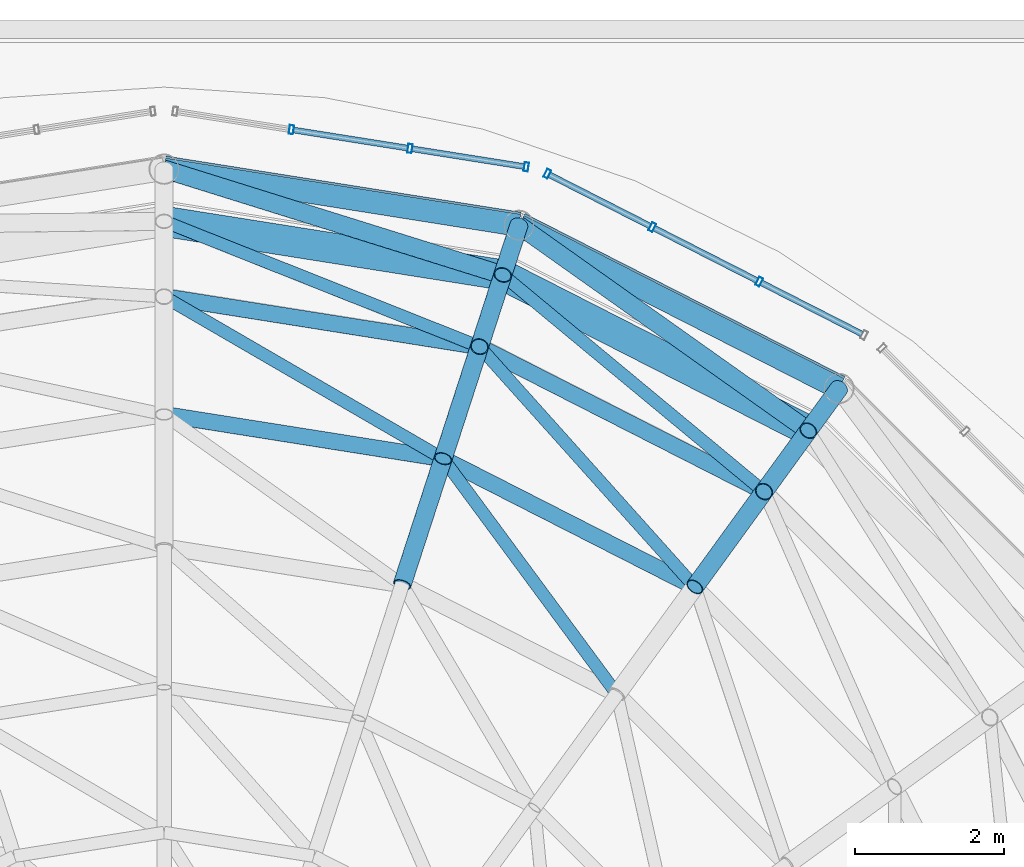
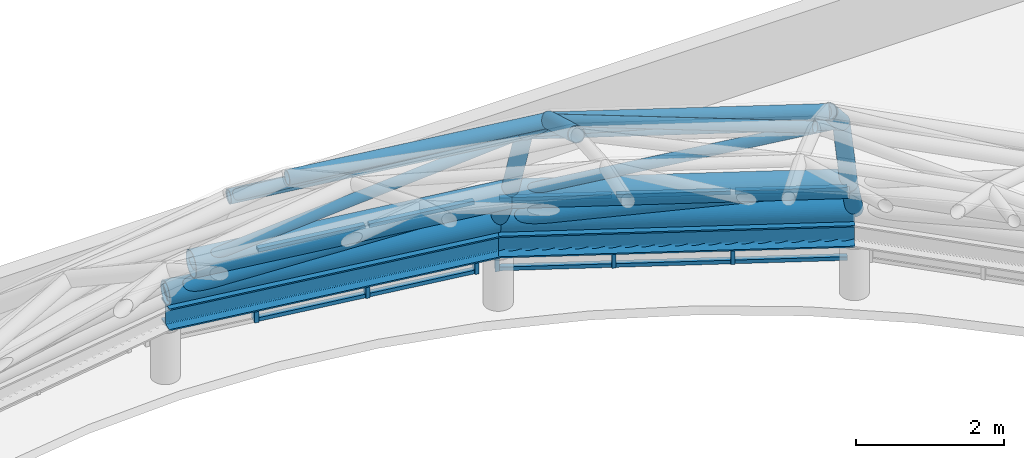
# One storey, part 37 of 69: 38 members, 2 beams, 2 elements without a shape of their own.
"""IFC4 building model written with IfcOpenShell, lengths in metres."""

from ifc_helpers import new_model, si_unit, direction, frame, origin, origin_2d, place, context, subcontext, project, spatial, hollow_rectangle, hollow_circle, i_section, extrude, material, layer, layer_set, material_profile, profile_set, type_object, element, aggregate, save


model = new_model("IFC4")

# Units and contexts
model_context = context("Model", 3, precision=1e-05, world=origin(), true_north=direction((0.0, 1.0)))
body_context = subcontext(model_context, "Body", "Model", "MODEL_VIEW")
ifc_project = project(units=[si_unit("LENGTHUNIT", "METRE"), si_unit("AREAUNIT", "SQUARE_METRE"), si_unit("VOLUMEUNIT", "CUBIC_METRE"), si_unit("PLANEANGLEUNIT", "RADIAN"), si_unit("MASSUNIT", "GRAM", prefix="KILO")], contexts=[model_context])

# Site, building, storey
site_placement = place(None, origin())
site = spatial("IfcSite", under=ifc_project, at=site_placement, CompositionType="ELEMENT")
building_placement = place(site_placement, origin())
building = spatial("IfcBuilding", under=site, at=building_placement, Name="Kallimachos Central Library", CompositionType="ELEMENT")
storey_placement = place(building_placement, frame((0.0, 0.0, 23.39990234375)))
storey = spatial("IfcBuildingStorey", under=building, at=storey_placement, Name="L05", CompositionType="ELEMENT", Elevation=23.39990234375)

# Members
ifc_material_1 = material(Name="Steel S355J2H", Category="steel")
ifc_material_profile_1 = material_profile(ifc_material_1, hollow_circle(Radius=0.084228515625, WallThickness=0.008056640625, at=origin_2d()), Name="CHS 168.3x8")
ifc_profile_set_1 = profile_set([ifc_material_profile_1], Name="Steel S355J2H")
member_type_1 = type_object("IfcMemberType", Name="CHS 168.3x8 dome diagonal", PredefinedType="BRACE", material=ifc_profile_set_1)
member_1_placement = place(storey_placement, frame((94.0732421875, 112.75927734375, 6.24853515625), z_axis=(-0.576308308744, 0.780481626209, -0.242316248781), x_axis=(-0.804456590267, -0.594011442968, 0.0)))
element("IfcMember", 1, at=member_1_placement, inside=storey, type_object=member_type_1, Name="Dome diagonal DD-4-03", PredefinedType="BRACE", context=body_context, shape_type="SweptSolid", body=[
    extrude(hollow_circle(Radius=0.084228515625, WallThickness=0.008056640625, at=origin_2d()), origin(), (0.0, 0.0, 1.0), 4.045166015625),
])
member_2_placement = place(storey_placement, frame((95.11767578125, 114.196533203125, 5.268310546875), z_axis=(-0.640319698007, 0.714654605031, -0.281530601982), x_axis=(-0.744779250072, -0.66731092353, 0.0)))
element("IfcMember", 2, at=member_2_placement, inside=storey, type_object=member_type_1, Name="Dome diagonal DD-5-03", PredefinedType="BRACE", context=body_context, shape_type="SweptSolid", body=[
    extrude(hollow_circle(Radius=0.084228515625, WallThickness=0.008056640625, at=origin_2d()), origin(), (0.0, 0.0, 1.0), 4.50927734375),
])
member_3_placement = place(storey_placement, frame((91.741943359375, 115.91650390625, 5.268310546875), z_axis=(-0.829800504036, 0.481844097731, -0.281526888562), x_axis=(-0.502154573364, -0.864777881568, 0.0)))
element("IfcMember", 3, at=member_3_placement, inside=storey, type_object=member_type_1, Name="Dome diagonal DD-5-04", PredefinedType="BRACE", context=body_context, shape_type="SweptSolid", body=[
    extrude(hollow_circle(Radius=0.084228515625, WallThickness=0.008056640625, at=origin_2d()), origin(), (0.0, 0.0, 1.0), 4.509521484375),
])
for number, where, z_axis, x_axis, name in (
    (4, (96.04638671875, 115.474853515625, 3.998779296875), (-0.720010753711, 0.597099218971, -0.353634044238), (-0.638346721018, -0.769748961523, 0.0), "Dome diagonal DD-6-03"),
    (5, (92.230224609375, 117.419189453125, 3.998779296875), (-0.869270706881, 0.345410562525, -0.353638207007), (-0.369272080701, -0.929321327859, 0.0), "Dome diagonal DD-6-04"),
):
    element("IfcMember", number, at=place(storey_placement, frame(where, z_axis=z_axis, x_axis=x_axis)), inside=storey, type_object=member_type_1, Name=name, PredefinedType="BRACE", context=body_context, shape_type="SweptSolid", body=[
        extrude(hollow_circle(Radius=0.084228515625, WallThickness=0.008056640625, at=origin_2d()), origin(), (0.0, 0.0, 1.0), 4.866455078125),
    ])
ifc_material_2 = material(Name="Steel S355J2H", Category="steel")
ifc_material_profile_2 = material_profile(ifc_material_2, hollow_circle(Radius=0.109619140625, WallThickness=0.012451171875, at=origin_2d()), Name="CHS 219.1x12.5")
ifc_profile_set_2 = profile_set([ifc_material_profile_2], Name="Steel S355J2H")
member_type_2 = type_object("IfcMemberType", Name="CHS 219.1x12.5 dome ring", PredefinedType="PURLIN", material=ifc_profile_set_2)
for number, where, z_axis, x_axis, name in (
    (6, (95.11767578125, 114.196533203125, 5.268310546875), (-0.891011956133, 0.45397983879, 0.0), (-0.45397983879, -0.891011956133, 0.0), "Dome ring DN-5-03"),
    (7, (91.741943359375, 115.91650390625, 5.268310546875), (-0.987683942521, 0.156462230863, 0.0), (-0.156462230863, -0.987683942521, 0.0), "Dome ring DN-5-04"),
):
    element("IfcMember", number, at=place(storey_placement, frame(where, z_axis=z_axis, x_axis=x_axis)), inside=storey, type_object=member_type_2, Name=name, PredefinedType="PURLIN", context=body_context, shape_type="SweptSolid", body=[
        extrude(hollow_circle(Radius=0.109619140625, WallThickness=0.012451171875, at=origin_2d()), origin(), (0.0, 0.0, 1.0), 3.78857421875),
    ])
for number, where, z_axis, x_axis, name in (
    (8, (96.04638671875, 115.474853515625, 3.998779296875), (-0.891015569784, 0.453972746322, 0.0), (-0.453972746322, -0.891015569784, 0.0), "Dome ring DN-6-03"),
    (9, (92.230224609375, 117.419189453125, 3.998779296875), (-0.987682414265, 0.15647187783, 0.0), (-0.15647187783, -0.987682414265, 0.0), "Dome ring DN-6-04"),
):
    element("IfcMember", number, at=place(storey_placement, frame(where, z_axis=z_axis, x_axis=x_axis)), inside=storey, type_object=member_type_2, Name=name, PredefinedType="PURLIN", context=body_context, shape_type="SweptSolid", body=[
        extrude(hollow_circle(Radius=0.109619140625, WallThickness=0.012451171875, at=origin_2d()), origin(), (0.0, 0.0, 1.0), 4.282958984375),
    ])
ifc_material_3 = material(Name="Steel S355J2H", Category="steel")
ifc_material_profile_3 = material_profile(ifc_material_3, hollow_circle(Radius=0.122314453125, WallThickness=0.012451171875, at=origin_2d()), Name="CHS 244.5x12.5")
ifc_profile_set_3 = profile_set([ifc_material_profile_3], Name="Steel S355J2H")
member_type_3 = type_object("IfcMemberType", Name="CHS 244.5x12.5 dome diagonal", PredefinedType="BRACE", material=ifc_profile_set_3)
for number, where, z_axis, x_axis, name in (
    (10, (96.640380859375, 116.29248046875, 2.27783203125), (-0.801383692593, 0.568564567108, -0.185791577514), (-0.578639151255, -0.815583676047, 0.0), "Dome diagonal DD-7-03"),
    (11, (92.54248046875, 118.380615234375, 2.27783203125), (-0.937865766204, 0.293064149452, -0.185798839849), (-0.29825746715, -0.954485454729, 0.0), "Dome diagonal DD-7-04"),
):
    element("IfcMember", number, at=place(storey_placement, frame(where, z_axis=z_axis, x_axis=x_axis)), inside=storey, type_object=member_type_3, Name=name, PredefinedType="BRACE", context=body_context, shape_type="SweptSolid", body=[
        extrude(hollow_circle(Radius=0.122314453125, WallThickness=0.012451171875, at=origin_2d()), origin(), (0.0, 0.0, 1.0), 4.843505859375),
    ])
ifc_material_4 = material(Name="Steel S355J2H", Category="steel")
ifc_material_profile_4 = material_profile(ifc_material_4, hollow_circle(Radius=0.122314453125, WallThickness=0.012451171875, at=origin_2d()), Name="CHS 244.5x12.5")
ifc_profile_set_4 = profile_set([ifc_material_profile_4], Name="Steel S355J2H")
member_type_4 = type_object("IfcMemberType", Name="CHS 244.5x12.5 dome rib", PredefinedType="RAFTER", material=ifc_profile_set_4)
member_4_placement = place(storey_placement, frame((91.19287109375, 114.226806640625, 6.24853515625), z_axis=(0.270593967186, 0.83271713957, -0.483074601267), x_axis=(-0.951047195677, 0.309045678815, 0.0)))
element("IfcMember", 12, at=member_4_placement, inside=storey, type_object=member_type_4, Name="Dome rib DR-4-04", PredefinedType="RAFTER", context=body_context, shape_type="SweptSolid", body=[
    extrude(hollow_circle(Radius=0.122314453125, WallThickness=0.012451171875, at=origin_2d()), origin(), (0.0, 0.0, 1.0), 2.029052734375),
])
for number, where, z_axis, x_axis, name in (
    (13, (95.11767578125, 114.196533203125, 5.268310546875), (0.458193176773, 0.630678095054, -0.626341882024), (-0.809029975545, 0.58776738483, 0.0), "Dome rib DR-5-03"),
    (14, (91.741943359375, 115.91650390625, 5.268310546875), (0.240904371031, 0.741383201847, -0.62635136468), (-0.951051099951, 0.309033663672, 0.0), "Dome rib DR-5-04"),
):
    element("IfcMember", number, at=place(storey_placement, frame(where, z_axis=z_axis, x_axis=x_axis)), inside=storey, type_object=member_type_4, Name=name, PredefinedType="RAFTER", context=body_context, shape_type="SweptSolid", body=[
        extrude(hollow_circle(Radius=0.122314453125, WallThickness=0.012451171875, at=origin_2d()), origin(), (0.0, 0.0, 1.0), 2.02685546875),
    ])
for number, where, z_axis, x_axis, name in (
    (15, (96.04638671875, 115.474853515625, 3.998779296875), (0.297630119581, 0.409684862505, -0.862307732398), (-0.809038926726, 0.587755063817, 0.0), "Dome rib DR-6-03"),
    (16, (92.230224609375, 117.419189453125, 3.998779296875), (0.156450889293, 0.481707272897, -0.862253572029), (-0.951094395752, 0.308900389072, 0.0), "Dome rib DR-6-04"),
):
    element("IfcMember", number, at=place(storey_placement, frame(where, z_axis=z_axis, x_axis=x_axis)), inside=storey, type_object=member_type_4, Name=name, PredefinedType="RAFTER", context=body_context, shape_type="SweptSolid", body=[
        extrude(hollow_circle(Radius=0.122314453125, WallThickness=0.012451171875, at=origin_2d()), origin(), (0.0, 0.0, 1.0), 1.995849609375),
    ])
for number, where, z_axis, x_axis, name in (
    (17, (96.640380859375, 116.29248046875, 2.27783203125), (0.361005557434, 0.49675735068, -0.789244652847), (-0.80894712746, 0.587881403835, 0.0), "Dome rib DR-7-03"),
    (18, (92.54248046875, 118.380615234375, 2.27783203125), (0.189725015868, 0.583950472089, -0.78930745879), (-0.951062257173, 0.308999325213, 0.0), "Dome rib DR-7-04"),
):
    element("IfcMember", number, at=place(storey_placement, frame(where, z_axis=z_axis, x_axis=x_axis)), inside=storey, type_object=member_type_4, Name=name, PredefinedType="RAFTER", context=body_context, shape_type="SweptSolid", body=[
        extrude(hollow_circle(Radius=0.122314453125, WallThickness=0.012451171875, at=origin_2d()), origin(), (0.0, 0.0, 1.0), 1.14013671875),
    ])
ifc_material_5 = material(Name="Steel S355J2H", Category="steel")
ifc_material_profile_5 = material_profile(ifc_material_5, hollow_circle(Radius=0.177734375, WallThickness=0.008056640625, at=origin_2d()), Name="CHS 355.6x8")
ifc_profile_set_5 = profile_set([ifc_material_profile_5], Name="Steel S355J2H")
member_type_5 = type_object("IfcMemberType", Name="CHS 355.6x8 dome ring", PredefinedType="PURLIN", material=ifc_profile_set_5)
member_5_placement = place(storey_placement, frame((97.052001953125, 116.85888671875, 1.3779296875), z_axis=(-0.891006627269, 0.453990297432, 0.0), x_axis=(-0.453990297432, -0.891006627269, 0.0)))
element("IfcMember", 19, at=member_5_placement, inside=storey, type_object=member_type_5, Name="Dome ring DN-8-03", PredefinedType="PURLIN", context=body_context, shape_type="SweptSolid", body=[
    extrude(hollow_circle(Radius=0.177734375, WallThickness=0.008056640625, at=origin_2d()), origin(), (0.0, 0.0, 1.0), 4.818359375),
])
member_6_placement = place(storey_placement, frame((92.7587890625, 119.04638671875, 1.3779296875), z_axis=(-0.987690137413, 0.156423119957, 0.0), x_axis=(-0.156423119957, -0.987690137413, 0.0)))
element("IfcMember", 20, at=member_6_placement, inside=storey, type_object=member_type_5, Name="Dome ring DN-8-04", PredefinedType="PURLIN", context=body_context, shape_type="SweptSolid", body=[
    extrude(hollow_circle(Radius=0.177734375, WallThickness=0.008056640625, at=origin_2d()), origin(), (0.0, 0.0, 1.0), 4.818115234375),
])
ifc_material_6 = material(Name="Steel S355J2H", Category="steel")
ifc_material_profile_6 = material_profile(ifc_material_6, hollow_circle(Radius=0.203125, WallThickness=0.012451171875, at=origin_2d()), Name="CHS 406.4x12.5")
ifc_profile_set_6 = profile_set([ifc_material_profile_6], Name="Steel S355J2H")
member_type_6 = type_object("IfcMemberType", Name="CHS 406.4x12.5 dome ring", PredefinedType="PURLIN", material=ifc_profile_set_6)
member_7_placement = place(storey_placement, frame((96.640380859375, 116.29248046875, 2.27783203125), z_axis=(-0.890993311189, 0.454016430778, 0.0), x_axis=(-0.454016430778, -0.890993311189, 0.0)))
element("IfcMember", 21, at=member_7_placement, inside=storey, type_object=member_type_6, Name="Dome ring DN-7-03", PredefinedType="PURLIN", context=body_context, shape_type="SweptSolid", body=[
    extrude(hollow_circle(Radius=0.203125, WallThickness=0.012451171875, at=origin_2d()), origin(), (0.0, 0.0, 1.0), 4.599365234375),
])
member_8_placement = place(storey_placement, frame((92.54248046875, 118.380615234375, 2.27783203125), z_axis=(-0.987687527738, 0.156439597132, 0.0), x_axis=(-0.156439597132, -0.987687527738, 0.0)))
element("IfcMember", 22, at=member_8_placement, inside=storey, type_object=member_type_6, Name="Dome ring DN-7-04", PredefinedType="PURLIN", context=body_context, shape_type="SweptSolid", body=[
    extrude(hollow_circle(Radius=0.203125, WallThickness=0.012451171875, at=origin_2d()), origin(), (0.0, 0.0, 1.0), 4.59912109375),
])

# Curtain wall, members
ifc_material_7 = material(Name="Anodised aluminium and laminated glass", Category="aluminium")
ifc_layer = layer(ifc_material_7, 0.159912109375)
ifc_layer_set = layer_set([ifc_layer], Name="Glass box curtain wall")
curtain_wall_type = type_object("IfcCurtainWallType", Name="Glass box curtain wall", PredefinedType="NOTDEFINED", material=ifc_layer_set)
curtain_wall_1_placement = place(storey_placement, origin())
curtain_wall_1 = element("IfcCurtainWall", 23, at=curtain_wall_1_placement, inside=storey, type_object=curtain_wall_type, Name="Drum clerestory facet 4", PredefinedType="NOTDEFINED")
ifc_material_8 = material(Name="Anodised aluminium", Category="aluminium")
ifc_material_profile_7 = material_profile(ifc_material_8, hollow_rectangle(XDim=0.06005859375, YDim=0.1201171875, WallThickness=0.00390625, at=origin_2d()), Name="ALU MULLION 60x120")
ifc_profile_set_7 = profile_set([ifc_material_profile_7], Name="Anodised aluminium")
member_type_7 = type_object("IfcMemberType", Name="Glass box mullion 60x120", PredefinedType="MULLION", material=ifc_profile_set_7)
member_9_placement = place(storey_placement, frame((95.98095703125, 118.290771484375, 0.0), z_axis=(0.0, 0.0, 1.0), x_axis=(-0.891006369337, 0.453990803653, 0.0)))
member_9 = element("IfcMember", 24, at=member_9_placement, type_object=member_type_7, Name="CW38 mullion 2", PredefinedType="MULLION", context=body_context, shape_type="SweptSolid", body=[
    extrude(hollow_rectangle(XDim=0.06005859375, YDim=0.1201171875, WallThickness=0.00390625, at=origin_2d()), origin(), (0.0, 0.0, 1.0), 1.2001953125),
])
member_10_placement = place(storey_placement, frame((94.546875, 119.021484375, 0.0), z_axis=(0.0, 0.0, 1.0), x_axis=(-0.891006369337, 0.453990803653, 0.0)))
member_10 = element("IfcMember", 25, at=member_10_placement, type_object=member_type_7, Name="CW38 mullion 3", PredefinedType="MULLION", context=body_context, shape_type="SweptSolid", body=[
    extrude(hollow_rectangle(XDim=0.06005859375, YDim=0.1201171875, WallThickness=0.00390625, at=origin_2d()), origin(), (0.0, 0.0, 1.0), 1.2001953125),
])
member_11_placement = place(storey_placement, frame((93.1396484375, 119.738525390625, 0.0), z_axis=(0.0, 0.0, 1.0), x_axis=(-0.891006369337, 0.453990803653, 0.0)))
member_11 = element("IfcMember", 26, at=member_11_placement, type_object=member_type_7, Name="CW38 mullion 4", PredefinedType="MULLION", context=body_context, shape_type="SweptSolid", body=[
    extrude(hollow_rectangle(XDim=0.06005859375, YDim=0.1201171875, WallThickness=0.00390625, at=origin_2d()), origin(), (0.0, 0.0, 1.0), 1.2001953125),
])

curtain_wall_2_placement = place(storey_placement, origin())
curtain_wall_2 = element("IfcCurtainWall", 27, at=curtain_wall_2_placement, inside=storey, type_object=curtain_wall_type, Name="Drum clerestory facet 5", PredefinedType="NOTDEFINED")
member_12_placement = place(storey_placement, frame((92.857666015625, 119.830078125, 0.0), z_axis=(0.0, 0.0, 1.0), x_axis=(-0.987688202185, 0.156435338924, 0.0)))
member_12 = element("IfcMember", 28, at=member_12_placement, type_object=member_type_7, Name="CW39 mullion 1", PredefinedType="MULLION", context=body_context, shape_type="SweptSolid", body=[
    extrude(hollow_rectangle(XDim=0.06005859375, YDim=0.1201171875, WallThickness=0.00390625, at=origin_2d()), origin(), (0.0, 0.0, 1.0), 1.2001953125),
])
member_13_placement = place(storey_placement, frame((91.2978515625, 120.0771484375, 0.0), z_axis=(0.0, 0.0, 1.0), x_axis=(-0.987688202185, 0.156435338924, 0.0)))
member_13 = element("IfcMember", 29, at=member_13_placement, type_object=member_type_7, Name="CW39 mullion 2", PredefinedType="MULLION", context=body_context, shape_type="SweptSolid", body=[
    extrude(hollow_rectangle(XDim=0.06005859375, YDim=0.1201171875, WallThickness=0.00390625, at=origin_2d()), origin(), (0.0, 0.0, 1.0), 1.2001953125),
])
member_14_placement = place(storey_placement, frame((89.708251953125, 120.328857421875, 0.0), z_axis=(0.0, 0.0, 1.0), x_axis=(-0.987688202185, 0.156435338924, 0.0)))
member_14 = element("IfcMember", 30, at=member_14_placement, type_object=member_type_7, Name="CW39 mullion 3", PredefinedType="MULLION", context=body_context, shape_type="SweptSolid", body=[
    extrude(hollow_rectangle(XDim=0.06005859375, YDim=0.1201171875, WallThickness=0.00390625, at=origin_2d()), origin(), (0.0, 0.0, 1.0), 1.2001953125),
])

# Member
ifc_material_9 = material(Name="Anodised aluminium", Category="aluminium")
ifc_material_profile_8 = material_profile(ifc_material_9, hollow_rectangle(XDim=0.06005859375, YDim=0.080078125, WallThickness=0.00390625, at=origin_2d()), Name="ALU TRANSOM 60x80")
ifc_profile_set_8 = profile_set([ifc_material_profile_8], Name="Anodised aluminium")
member_type_8 = type_object("IfcMemberType", Name="Glass box transom 60x80", PredefinedType="USERDEFINED", material=ifc_profile_set_8)
member_15_placement = place(storey_placement, frame((97.361328125, 117.58740234375, 0.030029296875), z_axis=(-0.891027233573, 0.453949852992, 0.0), x_axis=(0.0, 0.0, 1.0)))
member_15 = element("IfcMember", 31, at=member_15_placement, type_object=member_type_8, Name="CW38 transom 1.1", ObjectType="TRANSOM", PredefinedType="USERDEFINED", context=body_context, shape_type="SweptSolid", body=[
    extrude(hollow_rectangle(XDim=0.06005859375, YDim=0.080078125, WallThickness=0.00390625, at=origin_2d()), origin(), (0.0, 0.0, 1.0), 1.519287109375),
])

member_16_placement = place(storey_placement, frame((97.361328125, 117.58740234375, 1.170166015625), z_axis=(-0.891027233573, 0.453949852992, 0.0), x_axis=(0.0, 0.0, 1.0)))
member_16 = element("IfcMember", 32, at=member_16_placement, type_object=member_type_8, Name="CW38 transom 1.2", ObjectType="TRANSOM", PredefinedType="USERDEFINED", context=body_context, shape_type="SweptSolid", body=[
    extrude(hollow_rectangle(XDim=0.06005859375, YDim=0.080078125, WallThickness=0.00390625, at=origin_2d()), origin(), (0.0, 0.0, 1.0), 1.519287109375),
])

member_17_placement = place(storey_placement, frame((95.9541015625, 118.304443359375, 0.030029296875), z_axis=(-0.891029877091, 0.453944664173, 0.0), x_axis=(0.0, 0.0, 1.0)))
member_17 = element("IfcMember", 33, at=member_17_placement, type_object=member_type_8, Name="CW38 transom 2.1", ObjectType="TRANSOM", PredefinedType="USERDEFINED", context=body_context, shape_type="SweptSolid", body=[
    extrude(hollow_rectangle(XDim=0.06005859375, YDim=0.080078125, WallThickness=0.00390625, at=origin_2d()), origin(), (0.0, 0.0, 1.0), 1.549560546875),
])

member_18_placement = place(storey_placement, frame((95.9541015625, 118.304443359375, 1.170166015625), z_axis=(-0.891029877091, 0.453944664173, 0.0), x_axis=(0.0, 0.0, 1.0)))
member_18 = element("IfcMember", 34, at=member_18_placement, type_object=member_type_8, Name="CW38 transom 2.2", ObjectType="TRANSOM", PredefinedType="USERDEFINED", context=body_context, shape_type="SweptSolid", body=[
    extrude(hollow_rectangle(XDim=0.06005859375, YDim=0.080078125, WallThickness=0.00390625, at=origin_2d()), origin(), (0.0, 0.0, 1.0), 1.549560546875),
])

member_19_placement = place(storey_placement, frame((94.52001953125, 119.03515625, 0.030029296875), z_axis=(-0.891027233573, 0.453949852992, 0.0), x_axis=(0.0, 0.0, 1.0)))
member_19 = element("IfcMember", 35, at=member_19_placement, type_object=member_type_8, Name="CW38 transom 3.1", ObjectType="TRANSOM", PredefinedType="USERDEFINED", context=body_context, shape_type="SweptSolid", body=[
    extrude(hollow_rectangle(XDim=0.06005859375, YDim=0.080078125, WallThickness=0.00390625, at=origin_2d()), origin(), (0.0, 0.0, 1.0), 1.519287109375),
])

member_20_placement = place(storey_placement, frame((94.52001953125, 119.03515625, 1.170166015625), z_axis=(-0.891027233573, 0.453949852992, 0.0), x_axis=(0.0, 0.0, 1.0)))
member_20 = element("IfcMember", 36, at=member_20_placement, type_object=member_type_8, Name="CW38 transom 3.2", ObjectType="TRANSOM", PredefinedType="USERDEFINED", context=body_context, shape_type="SweptSolid", body=[
    extrude(hollow_rectangle(XDim=0.06005859375, YDim=0.080078125, WallThickness=0.00390625, at=origin_2d()), origin(), (0.0, 0.0, 1.0), 1.519287109375),
])

aggregate(curtain_wall_1, [member_9, member_10, member_11, member_15, member_16, member_17, member_18, member_19, member_20])

member_21_placement = place(storey_placement, frame((92.828125, 119.834716796875, 0.030029296875), z_axis=(-0.9876781389, 0.156498862419, 0.0), x_axis=(0.0, 0.0, 1.0)))
member_21 = element("IfcMember", 37, at=member_21_placement, type_object=member_type_8, Name="CW39 transom 1.1", ObjectType="TRANSOM", PredefinedType="USERDEFINED", context=body_context, shape_type="SweptSolid", body=[
    extrude(hollow_rectangle(XDim=0.06005859375, YDim=0.080078125, WallThickness=0.00390625, at=origin_2d()), origin(), (0.0, 0.0, 1.0), 1.51953125),
])

member_22_placement = place(storey_placement, frame((92.828125, 119.834716796875, 1.170166015625), z_axis=(-0.9876781389, 0.156498862419, 0.0), x_axis=(0.0, 0.0, 1.0)))
member_22 = element("IfcMember", 38, at=member_22_placement, type_object=member_type_8, Name="CW39 transom 1.2", ObjectType="TRANSOM", PredefinedType="USERDEFINED", context=body_context, shape_type="SweptSolid", body=[
    extrude(hollow_rectangle(XDim=0.06005859375, YDim=0.080078125, WallThickness=0.00390625, at=origin_2d()), origin(), (0.0, 0.0, 1.0), 1.51953125),
])

member_23_placement = place(storey_placement, frame((91.26806640625, 120.081787109375, 0.030029296875), z_axis=(-0.987682342586, 0.156472330279, 0.0), x_axis=(0.0, 0.0, 1.0)))
member_23 = element("IfcMember", 39, at=member_23_placement, type_object=member_type_8, Name="CW39 transom 2.1", ObjectType="TRANSOM", PredefinedType="USERDEFINED", context=body_context, shape_type="SweptSolid", body=[
    extrude(hollow_rectangle(XDim=0.06005859375, YDim=0.080078125, WallThickness=0.00390625, at=origin_2d()), origin(), (0.0, 0.0, 1.0), 1.54931640625),
])

member_24_placement = place(storey_placement, frame((91.26806640625, 120.081787109375, 1.170166015625), z_axis=(-0.987682342586, 0.156472330279, 0.0), x_axis=(0.0, 0.0, 1.0)))
member_24 = element("IfcMember", 40, at=member_24_placement, type_object=member_type_8, Name="CW39 transom 2.2", ObjectType="TRANSOM", PredefinedType="USERDEFINED", context=body_context, shape_type="SweptSolid", body=[
    extrude(hollow_rectangle(XDim=0.06005859375, YDim=0.080078125, WallThickness=0.00390625, at=origin_2d()), origin(), (0.0, 0.0, 1.0), 1.54931640625),
])

aggregate(curtain_wall_2, [member_12, member_13, member_14, member_21, member_22, member_23, member_24])

# Beams
ifc_material_10 = material(Name="Steel S355J2", Category="steel")
ifc_material_profile_9 = material_profile(ifc_material_10, i_section(OverallWidth=0.300048828125, OverallDepth=0.360107421875, WebThickness=0.012451171875, FlangeThickness=0.0224609375, FilletRadius=0.027099609375, at=origin_2d()), Name="HEB 360")
ifc_profile_set_9 = profile_set([ifc_material_profile_9], Name="Steel S355J2")
beam_type = type_object("IfcBeamType", Name="HEB 360 beam", PredefinedType="BEAM", material=ifc_profile_set_9)
beam_1_placement = place(storey_placement, frame((97.052001953125, 116.85888671875, 1.02001953125), z_axis=(-0.891006627269, 0.453990297432, 0.0), x_axis=(-0.453990297432, -0.891006627269, 0.0)))
element("IfcBeam", 41, at=beam_1_placement, inside=storey, type_object=beam_type, Name="V1-BEM-L05-004", PredefinedType="BEAM", context=body_context, shape_type="SweptSolid", body=[
    extrude(i_section(OverallWidth=0.300048828125, OverallDepth=0.360107421875, WebThickness=0.012451171875, FlangeThickness=0.0224609375, FilletRadius=0.027099609375, at=origin_2d()), origin(), (0.0, 0.0, 1.0), 4.818359375),
])
beam_2_placement = place(storey_placement, frame((92.7587890625, 119.04638671875, 1.02001953125), z_axis=(-0.987690137413, 0.156423119957, 0.0), x_axis=(-0.156423119957, -0.987690137413, 0.0)))
element("IfcBeam", 42, at=beam_2_placement, inside=storey, type_object=beam_type, Name="V1-BEM-L05-005", PredefinedType="BEAM", context=body_context, shape_type="SweptSolid", body=[
    extrude(i_section(OverallWidth=0.300048828125, OverallDepth=0.360107421875, WebThickness=0.012451171875, FlangeThickness=0.0224609375, FilletRadius=0.027099609375, at=origin_2d()), origin(), (0.0, 0.0, 1.0), 4.818115234375),
])

save(model, "model.ifc")
